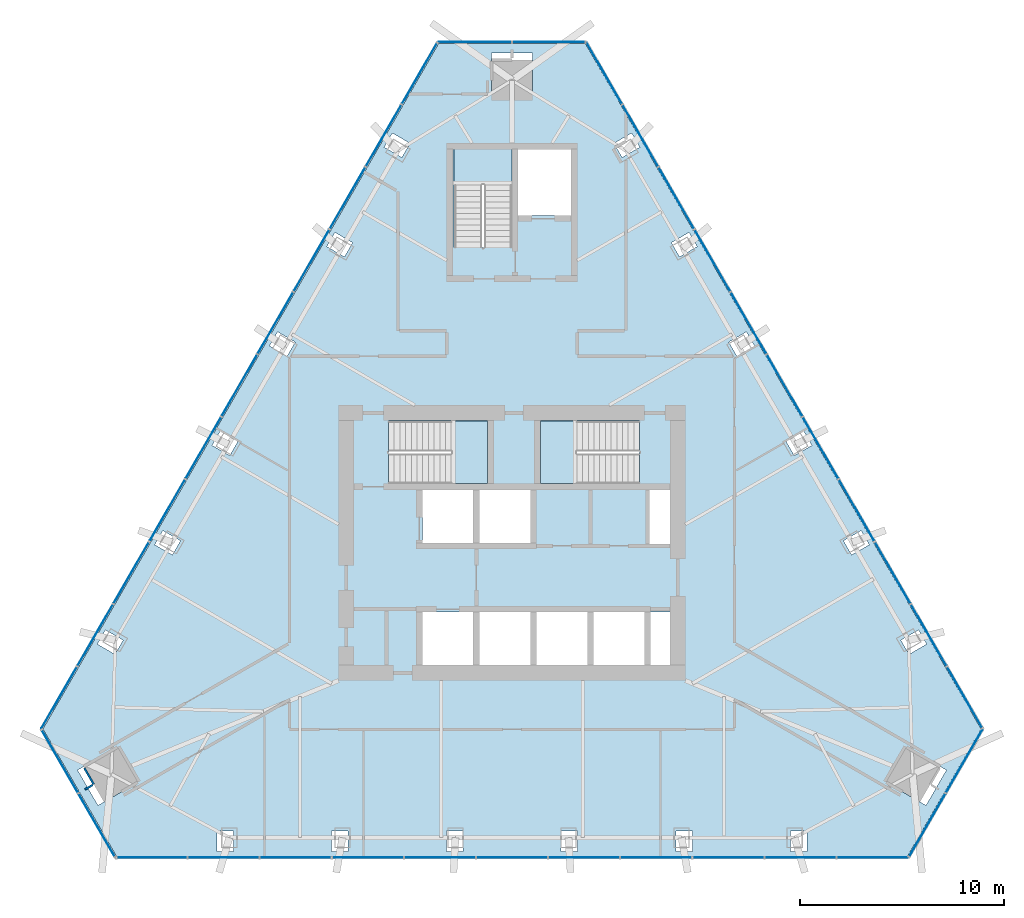
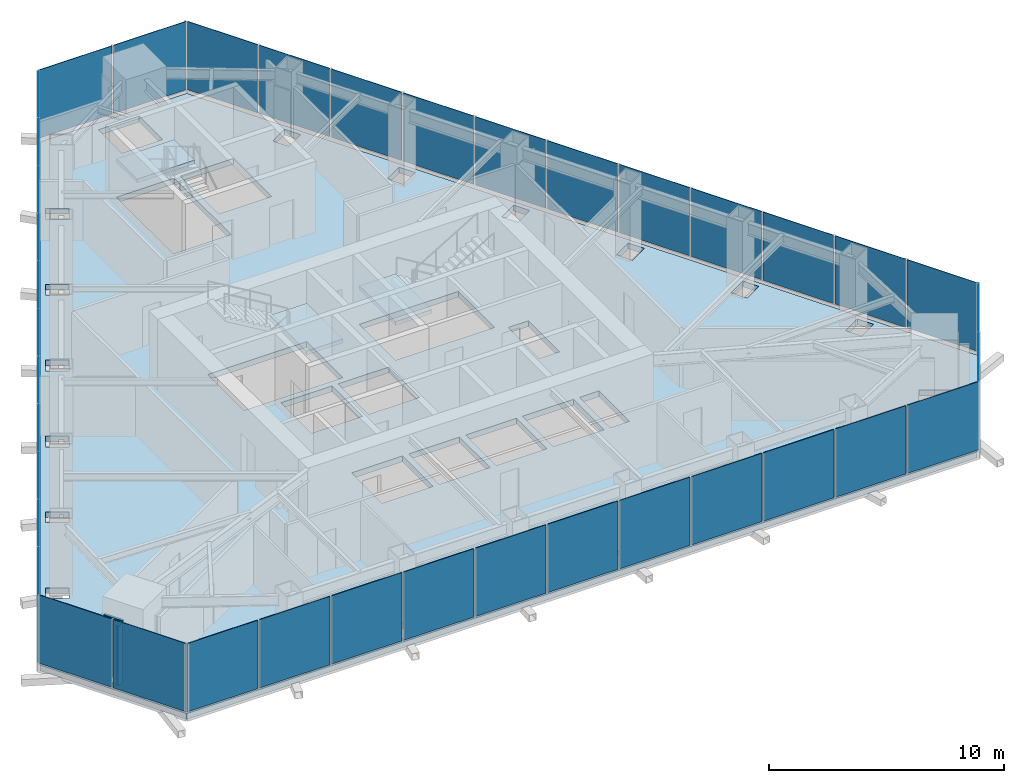
# One storey, part 10 of 14: 39 plates, 4 slabs, 2 walls, 9 elements without a shape of their own.
"""IFC4 building model written with IfcOpenShell, lengths in metres."""

from ifc_helpers import new_model, si_unit, direction, frame, frame_2d, origin, place, context, subcontext, project, spatial, polyline, rectangle, outline, extrude, material, layer, layer_set, type_object, element, aggregate, save


model = new_model("IFC4")

# Units and contexts
model_context = context("Model", 3, precision=1e-05, world=origin(), true_north=direction((0.0, 1.0)))
body_context = subcontext(model_context, "Body", "Model", "MODEL_VIEW")
ifc_project = project(units=[si_unit("LENGTHUNIT", "METRE"), si_unit("AREAUNIT", "SQUARE_METRE"), si_unit("VOLUMEUNIT", "CUBIC_METRE"), si_unit("PLANEANGLEUNIT", "RADIAN"), si_unit("MASSUNIT", "GRAM", prefix="KILO")], contexts=[model_context])

# Site, building, storey
site_placement = place(None, origin())
site = spatial("IfcSite", under=ifc_project, at=site_placement, CompositionType="ELEMENT")
building_placement = place(site_placement, origin())
building = spatial("IfcBuilding", under=site, at=building_placement, Name="Firuza Gate Tower and Library", CompositionType="ELEMENT")
storey_placement = place(building_placement, frame((0.0, 0.0, 331.60009765625)))
storey = spatial("IfcBuildingStorey", under=building, at=storey_placement, Name="L81", CompositionType="ELEMENT", Elevation=331.60009765625)

# Curtain wall, plates
ifc_material_1 = material(Name="Aluminium 6063-T6", Category="aluminium")
ifc_layer_1 = layer(ifc_material_1, 0.14990234375)
ifc_layer_set_1 = layer_set([ifc_layer_1], Name="Ceramic screen wall, crown plant")
curtain_wall_type = type_object("IfcCurtainWallType", Name="Ceramic screen wall, crown plant", PredefinedType="NOTDEFINED", material=ifc_layer_set_1)
placement_1 = place(storey_placement, origin())
curtain_wall_1 = element("IfcCurtainWall", 1, at=placement_1, inside=storey, type_object=curtain_wall_type, Name="CW6 L81 S", PredefinedType="NOTDEFINED")
ifc_material_2 = material(Name="Fritted glass", Category="glass")
ifc_layer_2 = layer(ifc_material_2, 0.06005859375)
ifc_layer_set_2 = layer_set([ifc_layer_2], Name="Ceramic screen unit, crown plant")
plate_type = type_object("IfcPlateType", Name="Ceramic screen unit, crown plant", PredefinedType="CURTAIN_PANEL", material=ifc_layer_set_2)
plate_1_placement = place(storey_placement, frame((55.5966796875, 59.552490234375, 0.14990234375), z_axis=(0.0, -1.0, 0.0), x_axis=(1.0, 0.0, 0.0)))
plate_1 = element("IfcPlate", 2, at=plate_1_placement, type_object=plate_type, Name="Glass unit", PredefinedType="CURTAIN_PANEL", context=body_context, shape_type="SweptSolid", body=[
    extrude(outline(polyline([(0.0, 0.0), (3.455078125, 0.0), (3.455078125, 3.550048828125), (0.0, 3.550048828125), (0.0, 0.0)])), origin(), (0.0, 0.0, -1.0), 0.030029296875),
])
plate_2_placement = place(storey_placement, frame((59.1318359375, 59.552490234375, 0.14990234375), z_axis=(0.0, -1.0, 0.0), x_axis=(1.0, 0.0, 0.0)))
plate_2 = element("IfcPlate", 3, at=plate_2_placement, type_object=plate_type, Name="Glass unit", PredefinedType="CURTAIN_PANEL", context=body_context, shape_type="SweptSolid", body=[
    extrude(outline(polyline([(0.0, 0.0), (3.455078125, 0.0), (3.455078125, 3.550048828125), (0.0, 3.550048828125), (0.0, 0.0)])), origin(), (0.0, 0.0, -1.0), 0.030029296875),
])
plate_3_placement = place(storey_placement, frame((62.6669921875, 59.552490234375, 0.14990234375), z_axis=(0.0, -1.0, 0.0), x_axis=(1.0, 0.0, 0.0)))
plate_3 = element("IfcPlate", 4, at=plate_3_placement, type_object=plate_type, Name="Glass unit", PredefinedType="CURTAIN_PANEL", context=body_context, shape_type="SweptSolid", body=[
    extrude(outline(polyline([(0.0, 0.0), (3.455078125, 0.0), (3.455078125, 3.550048828125), (0.0, 3.550048828125), (0.0, 0.0)])), origin(), (0.0, 0.0, -1.0), 0.030029296875),
])
plate_4_placement = place(storey_placement, frame((66.2021484375, 59.552490234375, 0.14990234375), z_axis=(0.0, -1.0, 0.0), x_axis=(1.0, 0.0, 0.0)))
plate_4 = element("IfcPlate", 5, at=plate_4_placement, type_object=plate_type, Name="Glass unit", PredefinedType="CURTAIN_PANEL", context=body_context, shape_type="SweptSolid", body=[
    extrude(outline(polyline([(0.0, 0.0), (3.455078125, 0.0), (3.455078125, 3.550048828125), (0.0, 3.550048828125), (0.0, 0.0)])), origin(), (0.0, 0.0, -1.0), 0.030029296875),
])
plate_5_placement = place(storey_placement, frame((69.7373046875, 59.552490234375, 0.14990234375), z_axis=(0.0, -1.0, 0.0), x_axis=(1.0, 0.0, 0.0)))
plate_5 = element("IfcPlate", 6, at=plate_5_placement, type_object=plate_type, Name="Glass unit", PredefinedType="CURTAIN_PANEL", context=body_context, shape_type="SweptSolid", body=[
    extrude(outline(polyline([(0.0, 0.0), (3.455078125, 0.0), (3.455078125, 3.550048828125), (0.0, 3.550048828125), (0.0, 0.0)])), origin(), (0.0, 0.0, -1.0), 0.030029296875),
])
plate_6_placement = place(storey_placement, frame((73.2724609375, 59.552490234375, 0.14990234375), z_axis=(0.0, -1.0, 0.0), x_axis=(1.0, 0.0, 0.0)))
plate_6 = element("IfcPlate", 7, at=plate_6_placement, type_object=plate_type, Name="Glass unit", PredefinedType="CURTAIN_PANEL", context=body_context, shape_type="SweptSolid", body=[
    extrude(outline(polyline([(0.0, 0.0), (3.455078125, 0.0), (3.455078125, 3.550048828125), (0.0, 3.550048828125), (0.0, 0.0)])), origin(), (0.0, 0.0, -1.0), 0.030029296875),
])
plate_7_placement = place(storey_placement, frame((76.8076171875, 59.552490234375, 0.14990234375), z_axis=(0.0, -1.0, 0.0), x_axis=(1.0, 0.0, 0.0)))
plate_7 = element("IfcPlate", 8, at=plate_7_placement, type_object=plate_type, Name="Glass unit", PredefinedType="CURTAIN_PANEL", context=body_context, shape_type="SweptSolid", body=[
    extrude(outline(polyline([(0.0, 0.0), (3.455078125, 0.0), (3.455078125, 3.550048828125), (0.0, 3.550048828125), (0.0, 0.0)])), origin(), (0.0, 0.0, -1.0), 0.030029296875),
])
plate_8_placement = place(storey_placement, frame((80.3427734375, 59.552490234375, 0.14990234375), z_axis=(0.0, -1.0, 0.0), x_axis=(1.0, 0.0, 0.0)))
plate_8 = element("IfcPlate", 9, at=plate_8_placement, type_object=plate_type, Name="Glass unit", PredefinedType="CURTAIN_PANEL", context=body_context, shape_type="SweptSolid", body=[
    extrude(outline(polyline([(0.0, 0.0), (3.455078125, 0.0), (3.455078125, 3.550048828125), (0.0, 3.550048828125), (0.0, 0.0)])), origin(), (0.0, 0.0, -1.0), 0.030029296875),
])
plate_9_placement = place(storey_placement, frame((83.8779296875, 59.552490234375, 0.14990234375), z_axis=(0.0, -1.0, 0.0), x_axis=(1.0, 0.0, 0.0)))
plate_9 = element("IfcPlate", 10, at=plate_9_placement, type_object=plate_type, Name="Glass unit", PredefinedType="CURTAIN_PANEL", context=body_context, shape_type="SweptSolid", body=[
    extrude(outline(polyline([(0.0, 0.0), (3.455078125, 0.0), (3.455078125, 3.550048828125), (0.0, 3.550048828125), (0.0, 0.0)])), origin(), (0.0, 0.0, -1.0), 0.030029296875),
])
plate_10_placement = place(storey_placement, frame((87.4130859375, 59.552490234375, 0.14990234375), z_axis=(0.0, -1.0, 0.0), x_axis=(1.0, 0.0, 0.0)))
plate_10 = element("IfcPlate", 11, at=plate_10_placement, type_object=plate_type, Name="Glass unit", PredefinedType="CURTAIN_PANEL", context=body_context, shape_type="SweptSolid", body=[
    extrude(outline(polyline([(0.0, 0.0), (3.455078125, 0.0), (3.455078125, 3.550048828125), (0.0, 3.550048828125), (0.0, 0.0)])), origin(), (0.0, 0.0, -1.0), 0.030029296875),
])
plate_11_placement = place(storey_placement, frame((90.9482421875, 59.552490234375, 0.14990234375), z_axis=(0.0, -1.0, 0.0), x_axis=(1.0, 0.0, 0.0)))
plate_11 = element("IfcPlate", 12, at=plate_11_placement, type_object=plate_type, Name="Glass unit", PredefinedType="CURTAIN_PANEL", context=body_context, shape_type="SweptSolid", body=[
    extrude(outline(polyline([(0.0, 0.0), (3.455078125, 0.0), (3.455078125, 3.550048828125), (0.0, 3.550048828125), (0.0, 0.0)])), origin(), (0.0, 0.0, -1.0), 0.030029296875),
])
aggregate(curtain_wall_1, [plate_1, plate_2, plate_3, plate_4, plate_5, plate_6, plate_7, plate_8, plate_9, plate_10, plate_11])

curtain_wall_2 = element("IfcCurtainWall", 13, at=placement_1, inside=storey, type_object=curtain_wall_type, Name="CW6 L81 SE", PredefinedType="NOTDEFINED")
plate_12_placement = place(storey_placement, frame((94.476318359375, 59.5947265625, 0.14990234375), z_axis=(0.865999591991, -0.500044704672, 0.0), x_axis=(0.500044704672, 0.865999591991, 0.0)))
plate_12 = element("IfcPlate", 14, at=plate_12_placement, type_object=plate_type, Name="Glass unit", PredefinedType="CURTAIN_PANEL", context=body_context, shape_type="SweptSolid", body=[
    extrude(outline(polyline([(0.0, 0.0), (3.563157982880169, 0.0), (3.563157982880169, 3.550048828125), (0.0, 3.550048828125), (0.0, 0.0)])), origin(), (0.0, 0.0, -1.0), 0.030029296875),
])
plate_13_placement = place(storey_placement, frame((96.2978515625, 62.749755859375, 0.14990234375), z_axis=(0.866016723041, -0.500015035186, 0.0), x_axis=(0.500015035186, 0.866016723041, 0.0)))
plate_13 = element("IfcPlate", 15, at=plate_13_placement, type_object=plate_type, Name="Glass unit", PredefinedType="CURTAIN_PANEL", context=body_context, shape_type="SweptSolid", body=[
    extrude(outline(polyline([(0.0, 0.0), (3.5633694106530625, 0.0), (3.5633694106530625, 3.550048828125), (0.0, 3.550048828125), (0.0, 0.0)])), origin(), (0.0, 0.0, -1.0), 0.030029296875),
])
aggregate(curtain_wall_2, [plate_12, plate_13])

curtain_wall_3 = element("IfcCurtainWall", 16, at=placement_1, inside=storey, type_object=curtain_wall_type, Name="CW6 L81 E", PredefinedType="NOTDEFINED")
plate_14_placement = place(storey_placement, frame((98.07958984375, 65.919921875, 0.14990234375), z_axis=(0.866043217385, 0.49996914467, 0.0), x_axis=(-0.49996914467, 0.866043217385, 0.0)))
plate_14 = element("IfcPlate", 17, at=plate_14_placement, type_object=plate_type, Name="Glass unit", PredefinedType="CURTAIN_PANEL", context=body_context, shape_type="SweptSolid", body=[
    extrude(outline(polyline([(0.0, 0.0), (3.4552913533126275, 0.0), (3.4552913533126275, 3.550048828125001), (0.0, 3.550048828125001), (0.0, 0.0)])), origin(), (0.0, 0.0, -1.0), 0.030029296875),
])
plate_15_placement = place(storey_placement, frame((96.31201171875, 68.9814453125, 0.14990234375), z_axis=(0.866043217385, 0.49996914467, 0.0), x_axis=(-0.49996914467, 0.866043217385, 0.0)))
plate_15 = element("IfcPlate", 18, at=plate_15_placement, type_object=plate_type, Name="Glass unit", PredefinedType="CURTAIN_PANEL", context=body_context, shape_type="SweptSolid", body=[
    extrude(outline(polyline([(0.0, 0.0), (3.4552913533126275, 0.0), (3.4552913533126275, 3.550048828125001), (0.0, 3.550048828125001), (0.0, 0.0)])), origin(), (0.0, 0.0, -1.0), 0.030029296875),
])
plate_16_placement = place(storey_placement, frame((94.54443359375, 72.04296875, 0.14990234375), z_axis=(0.866043217385, 0.49996914467, 0.0), x_axis=(-0.49996914467, 0.866043217385, 0.0)))
plate_16 = element("IfcPlate", 19, at=plate_16_placement, type_object=plate_type, Name="Glass unit", PredefinedType="CURTAIN_PANEL", context=body_context, shape_type="SweptSolid", body=[
    extrude(outline(polyline([(0.0, 0.0), (3.4552913533126275, 0.0), (3.4552913533126275, 3.550048828125001), (0.0, 3.550048828125001), (0.0, 0.0)])), origin(), (0.0, 0.0, -1.0), 0.030029296875),
])
plate_17_placement = place(storey_placement, frame((92.77685546875, 75.1044921875, 0.14990234375), z_axis=(0.866043217385, 0.49996914467, 0.0), x_axis=(-0.49996914467, 0.866043217385, 0.0)))
plate_17 = element("IfcPlate", 20, at=plate_17_placement, type_object=plate_type, Name="Glass unit", PredefinedType="CURTAIN_PANEL", context=body_context, shape_type="SweptSolid", body=[
    extrude(outline(polyline([(0.0, 0.0), (3.4552913533126275, 0.0), (3.4552913533126275, 3.550048828125001), (0.0, 3.550048828125001), (0.0, 0.0)])), origin(), (0.0, 0.0, -1.0), 0.030029296875),
])
plate_18_placement = place(storey_placement, frame((91.00927734375, 78.166015625, 0.14990234375), z_axis=(0.866043217385, 0.49996914467, 0.0), x_axis=(-0.49996914467, 0.866043217385, 0.0)))
plate_18 = element("IfcPlate", 21, at=plate_18_placement, type_object=plate_type, Name="Glass unit", PredefinedType="CURTAIN_PANEL", context=body_context, shape_type="SweptSolid", body=[
    extrude(outline(polyline([(0.0, 0.0), (3.4552913533126275, 0.0), (3.4552913533126275, 3.550048828125001), (0.0, 3.550048828125001), (0.0, 0.0)])), origin(), (0.0, 0.0, -1.0), 0.030029296875),
])
plate_19_placement = place(storey_placement, frame((89.24169921875, 81.2275390625, 0.14990234375), z_axis=(0.866043217385, 0.49996914467, 0.0), x_axis=(-0.49996914467, 0.866043217385, 0.0)))
plate_19 = element("IfcPlate", 22, at=plate_19_placement, type_object=plate_type, Name="Glass unit", PredefinedType="CURTAIN_PANEL", context=body_context, shape_type="SweptSolid", body=[
    extrude(outline(polyline([(0.0, 0.0), (3.4552913533126275, 0.0), (3.4552913533126275, 3.550048828125001), (0.0, 3.550048828125001), (0.0, 0.0)])), origin(), (0.0, 0.0, -1.0), 0.030029296875),
])
plate_20_placement = place(storey_placement, frame((87.47412109375, 84.2890625, 0.14990234375), z_axis=(0.866043217385, 0.49996914467, 0.0), x_axis=(-0.49996914467, 0.866043217385, 0.0)))
plate_20 = element("IfcPlate", 23, at=plate_20_placement, type_object=plate_type, Name="Glass unit", PredefinedType="CURTAIN_PANEL", context=body_context, shape_type="SweptSolid", body=[
    extrude(outline(polyline([(0.0, 0.0), (3.4552913533126275, 0.0), (3.4552913533126275, 3.550048828125001), (0.0, 3.550048828125001), (0.0, 0.0)])), origin(), (0.0, 0.0, -1.0), 0.030029296875),
])
plate_21_placement = place(storey_placement, frame((85.70654296875, 87.3505859375, 0.14990234375), z_axis=(0.866043217385, 0.49996914467, 0.0), x_axis=(-0.49996914467, 0.866043217385, 0.0)))
plate_21 = element("IfcPlate", 24, at=plate_21_placement, type_object=plate_type, Name="Glass unit", PredefinedType="CURTAIN_PANEL", context=body_context, shape_type="SweptSolid", body=[
    extrude(outline(polyline([(0.0, 0.0), (3.4552913533126275, 0.0), (3.4552913533126275, 3.550048828125001), (0.0, 3.550048828125001), (0.0, 0.0)])), origin(), (0.0, 0.0, -1.0), 0.030029296875),
])
plate_22_placement = place(storey_placement, frame((83.93896484375, 90.412109375, 0.14990234375), z_axis=(0.866043217385, 0.49996914467, 0.0), x_axis=(-0.49996914467, 0.866043217385, 0.0)))
plate_22 = element("IfcPlate", 25, at=plate_22_placement, type_object=plate_type, Name="Glass unit", PredefinedType="CURTAIN_PANEL", context=body_context, shape_type="SweptSolid", body=[
    extrude(outline(polyline([(0.0, 0.0), (3.4552913533126275, 0.0), (3.4552913533126275, 3.550048828125001), (0.0, 3.550048828125001), (0.0, 0.0)])), origin(), (0.0, 0.0, -1.0), 0.030029296875),
])
plate_23_placement = place(storey_placement, frame((82.17138671875, 93.4736328125, 0.14990234375), z_axis=(0.866043217385, 0.49996914467, 0.0), x_axis=(-0.49996914467, 0.866043217385, 0.0)))
plate_23 = element("IfcPlate", 26, at=plate_23_placement, type_object=plate_type, Name="Glass unit", PredefinedType="CURTAIN_PANEL", context=body_context, shape_type="SweptSolid", body=[
    extrude(outline(polyline([(0.0, 0.0), (3.4552913533126275, 0.0), (3.4552913533126275, 3.550048828125001), (0.0, 3.550048828125001), (0.0, 0.0)])), origin(), (0.0, 0.0, -1.0), 0.030029296875),
])
plate_24_placement = place(storey_placement, frame((80.40380859375, 96.53515625, 0.14990234375), z_axis=(0.866043217385, 0.49996914467, 0.0), x_axis=(-0.49996914467, 0.866043217385, 0.0)))
plate_24 = element("IfcPlate", 27, at=plate_24_placement, type_object=plate_type, Name="Glass unit", PredefinedType="CURTAIN_PANEL", context=body_context, shape_type="SweptSolid", body=[
    extrude(outline(polyline([(0.0, 0.0), (3.4552913533126275, 0.0), (3.4552913533126275, 3.550048828125001), (0.0, 3.550048828125001), (0.0, 0.0)])), origin(), (0.0, 0.0, -1.0), 0.030029296875),
])
aggregate(curtain_wall_3, [plate_14, plate_15, plate_16, plate_17, plate_18, plate_19, plate_20, plate_21, plate_22, plate_23, plate_24])

curtain_wall_4 = element("IfcCurtainWall", 28, at=placement_1, inside=storey, type_object=curtain_wall_type, Name="CW6 L81 N", PredefinedType="NOTDEFINED")
plate_25_placement = place(storey_placement, frame((78.603271484375, 99.569580078125, 0.14990234375), z_axis=(0.0, 1.0, 0.0), x_axis=(-1.0, 0.0, 0.0)))
plate_25 = element("IfcPlate", 29, at=plate_25_placement, type_object=plate_type, Name="Glass unit", PredefinedType="CURTAIN_PANEL", context=body_context, shape_type="SweptSolid", body=[
    extrude(outline(polyline([(0.0, 0.0), (3.563232421875, 0.0), (3.563232421875, 3.550048828125), (0.0, 3.550048828125), (0.0, 0.0)])), origin(), (0.0, 0.0, -1.0), 0.030029296875),
])
plate_26_placement = place(storey_placement, frame((74.9599609375, 99.569580078125, 0.14990234375), z_axis=(0.0, 1.0, 0.0), x_axis=(-1.0, 0.0, 0.0)))
plate_26 = element("IfcPlate", 30, at=plate_26_placement, type_object=plate_type, Name="Glass unit", PredefinedType="CURTAIN_PANEL", context=body_context, shape_type="SweptSolid", body=[
    extrude(outline(polyline([(0.0, 0.0), (3.563232421875, 0.0), (3.563232421875, 3.550048828125), (0.0, 3.550048828125), (0.0, 0.0)])), origin(), (0.0, 0.0, -1.0), 0.030029296875),
])
aggregate(curtain_wall_4, [plate_25, plate_26])

curtain_wall_5 = element("IfcCurtainWall", 31, at=placement_1, inside=storey, type_object=curtain_wall_type, Name="CW6 L81 W", PredefinedType="NOTDEFINED")
plate_27_placement = place(storey_placement, frame((71.32373046875, 99.527587890625, 0.14990234375), z_axis=(-0.866043217385, 0.49996914467, 0.0), x_axis=(-0.49996914467, -0.866043217385, 0.0)))
plate_27 = element("IfcPlate", 32, at=plate_27_placement, type_object=plate_type, Name="Glass unit", PredefinedType="CURTAIN_PANEL", context=body_context, shape_type="SweptSolid", body=[
    extrude(outline(polyline([(0.0, 0.0), (3.4552913533126275, 0.0), (3.4552913533126275, 3.550048828125001), (0.0, 3.550048828125001), (0.0, 0.0)])), origin(), (0.0, 0.0, -1.0), 0.030029296875),
])
plate_28_placement = place(storey_placement, frame((69.55615234375, 96.466064453125, 0.14990234375), z_axis=(-0.866043217385, 0.49996914467, 0.0), x_axis=(-0.49996914467, -0.866043217385, 0.0)))
plate_28 = element("IfcPlate", 33, at=plate_28_placement, type_object=plate_type, Name="Glass unit", PredefinedType="CURTAIN_PANEL", context=body_context, shape_type="SweptSolid", body=[
    extrude(outline(polyline([(0.0, 0.0), (3.4552913533126275, 0.0), (3.4552913533126275, 3.550048828125001), (0.0, 3.550048828125001), (0.0, 0.0)])), origin(), (0.0, 0.0, -1.0), 0.030029296875),
])
plate_29_placement = place(storey_placement, frame((67.78857421875, 93.404541015625, 0.14990234375), z_axis=(-0.866043217385, 0.49996914467, 0.0), x_axis=(-0.49996914467, -0.866043217385, 0.0)))
plate_29 = element("IfcPlate", 34, at=plate_29_placement, type_object=plate_type, Name="Glass unit", PredefinedType="CURTAIN_PANEL", context=body_context, shape_type="SweptSolid", body=[
    extrude(outline(polyline([(0.0, 0.0), (3.4552913533126275, 0.0), (3.4552913533126275, 3.550048828125001), (0.0, 3.550048828125001), (0.0, 0.0)])), origin(), (0.0, 0.0, -1.0), 0.030029296875),
])
plate_30_placement = place(storey_placement, frame((66.02099609375, 90.343017578125, 0.14990234375), z_axis=(-0.866043217385, 0.49996914467, 0.0), x_axis=(-0.49996914467, -0.866043217385, 0.0)))
plate_30 = element("IfcPlate", 35, at=plate_30_placement, type_object=plate_type, Name="Glass unit", PredefinedType="CURTAIN_PANEL", context=body_context, shape_type="SweptSolid", body=[
    extrude(outline(polyline([(0.0, 0.0), (3.4552913533126275, 0.0), (3.4552913533126275, 3.550048828125001), (0.0, 3.550048828125001), (0.0, 0.0)])), origin(), (0.0, 0.0, -1.0), 0.030029296875),
])
plate_31_placement = place(storey_placement, frame((64.25341796875, 87.281494140625, 0.14990234375), z_axis=(-0.866043217385, 0.49996914467, 0.0), x_axis=(-0.49996914467, -0.866043217385, 0.0)))
plate_31 = element("IfcPlate", 36, at=plate_31_placement, type_object=plate_type, Name="Glass unit", PredefinedType="CURTAIN_PANEL", context=body_context, shape_type="SweptSolid", body=[
    extrude(outline(polyline([(0.0, 0.0), (3.4552913533126275, 0.0), (3.4552913533126275, 3.550048828125001), (0.0, 3.550048828125001), (0.0, 0.0)])), origin(), (0.0, 0.0, -1.0), 0.030029296875),
])
plate_32_placement = place(storey_placement, frame((62.48583984375, 84.219970703125, 0.14990234375), z_axis=(-0.866043217385, 0.49996914467, 0.0), x_axis=(-0.49996914467, -0.866043217385, 0.0)))
plate_32 = element("IfcPlate", 37, at=plate_32_placement, type_object=plate_type, Name="Glass unit", PredefinedType="CURTAIN_PANEL", context=body_context, shape_type="SweptSolid", body=[
    extrude(outline(polyline([(0.0, 0.0), (3.4552913533126275, 0.0), (3.4552913533126275, 3.550048828125001), (0.0, 3.550048828125001), (0.0, 0.0)])), origin(), (0.0, 0.0, -1.0), 0.030029296875),
])
plate_33_placement = place(storey_placement, frame((60.71826171875, 81.158447265625, 0.14990234375), z_axis=(-0.866043217385, 0.49996914467, 0.0), x_axis=(-0.49996914467, -0.866043217385, 0.0)))
plate_33 = element("IfcPlate", 38, at=plate_33_placement, type_object=plate_type, Name="Glass unit", PredefinedType="CURTAIN_PANEL", context=body_context, shape_type="SweptSolid", body=[
    extrude(outline(polyline([(0.0, 0.0), (3.4552913533126275, 0.0), (3.4552913533126275, 3.550048828125001), (0.0, 3.550048828125001), (0.0, 0.0)])), origin(), (0.0, 0.0, -1.0), 0.030029296875),
])
plate_34_placement = place(storey_placement, frame((58.95068359375, 78.096923828125, 0.14990234375), z_axis=(-0.866043217385, 0.49996914467, 0.0), x_axis=(-0.49996914467, -0.866043217385, 0.0)))
plate_34 = element("IfcPlate", 39, at=plate_34_placement, type_object=plate_type, Name="Glass unit", PredefinedType="CURTAIN_PANEL", context=body_context, shape_type="SweptSolid", body=[
    extrude(outline(polyline([(0.0, 0.0), (3.4552913533126275, 0.0), (3.4552913533126275, 3.550048828125001), (0.0, 3.550048828125001), (0.0, 0.0)])), origin(), (0.0, 0.0, -1.0), 0.030029296875),
])
plate_35_placement = place(storey_placement, frame((57.18310546875, 75.035400390625, 0.14990234375), z_axis=(-0.866043217385, 0.49996914467, 0.0), x_axis=(-0.49996914467, -0.866043217385, 0.0)))
plate_35 = element("IfcPlate", 40, at=plate_35_placement, type_object=plate_type, Name="Glass unit", PredefinedType="CURTAIN_PANEL", context=body_context, shape_type="SweptSolid", body=[
    extrude(outline(polyline([(0.0, 0.0), (3.4552913533126275, 0.0), (3.4552913533126275, 3.550048828125001), (0.0, 3.550048828125001), (0.0, 0.0)])), origin(), (0.0, 0.0, -1.0), 0.030029296875),
])
plate_36_placement = place(storey_placement, frame((55.41552734375, 71.973876953125, 0.14990234375), z_axis=(-0.866043217385, 0.49996914467, 0.0), x_axis=(-0.49996914467, -0.866043217385, 0.0)))
plate_36 = element("IfcPlate", 41, at=plate_36_placement, type_object=plate_type, Name="Glass unit", PredefinedType="CURTAIN_PANEL", context=body_context, shape_type="SweptSolid", body=[
    extrude(outline(polyline([(0.0, 0.0), (3.4552913533126275, 0.0), (3.4552913533126275, 3.550048828125001), (0.0, 3.550048828125001), (0.0, 0.0)])), origin(), (0.0, 0.0, -1.0), 0.030029296875),
])
plate_37_placement = place(storey_placement, frame((53.64794921875, 68.912353515625, 0.14990234375), z_axis=(-0.866043217385, 0.49996914467, 0.0), x_axis=(-0.49996914467, -0.866043217385, 0.0)))
plate_37 = element("IfcPlate", 42, at=plate_37_placement, type_object=plate_type, Name="Glass unit", PredefinedType="CURTAIN_PANEL", context=body_context, shape_type="SweptSolid", body=[
    extrude(outline(polyline([(0.0, 0.0), (3.4552913533126275, 0.0), (3.4552913533126275, 3.550048828125001), (0.0, 3.550048828125001), (0.0, 0.0)])), origin(), (0.0, 0.0, -1.0), 0.030029296875),
])
aggregate(curtain_wall_5, [plate_27, plate_28, plate_29, plate_30, plate_31, plate_32, plate_33, plate_34, plate_35, plate_36, plate_37])

curtain_wall_6 = element("IfcCurtainWall", 43, at=placement_1, inside=storey, type_object=curtain_wall_type, Name="CW6 L81 SW", PredefinedType="NOTDEFINED")
plate_38_placement = place(storey_placement, frame((51.92041015625, 65.835693359375, 0.14990234375), z_axis=(-0.866016723041, -0.500015035186, 0.0), x_axis=(0.500015035186, -0.866016723041, 0.0)))
plate_38 = element("IfcPlate", 44, at=plate_38_placement, type_object=plate_type, Name="Glass unit", PredefinedType="CURTAIN_PANEL", context=body_context, shape_type="SweptSolid", body=[
    extrude(outline(polyline([(0.0, 0.0), (3.5633694106530625, 0.0), (3.5633694106530625, 3.550048828125), (0.0, 3.550048828125), (0.0, 0.0)])), origin(), (0.0, 0.0, -1.0), 0.030029296875),
])
plate_39_placement = place(storey_placement, frame((53.741943359375, 62.680419921875, 0.14990234375), z_axis=(-0.865999591991, -0.500044704672, 0.0), x_axis=(0.500044704672, -0.865999591991, 0.0)))
plate_39 = element("IfcPlate", 45, at=plate_39_placement, type_object=plate_type, Name="Glass unit", PredefinedType="CURTAIN_PANEL", context=body_context, shape_type="SweptSolid", body=[
    extrude(outline(polyline([(0.0, 0.0), (3.563157982880169, 0.0), (3.563157982880169, 3.550048828125), (0.0, 3.550048828125), (0.0, 0.0)])), origin(), (0.0, 0.0, -1.0), 0.030029296875),
])
aggregate(curtain_wall_6, [plate_38, plate_39])

# Slab
ifc_material_3 = material(Name="Concrete C40/50", Category="concrete")
ifc_layer_3 = layer(ifc_material_3, 0.300048828125)
ifc_layer_set_3 = layer_set([ifc_layer_3], Name="Composite floor slab 300 C40/50")
slab_type_1 = type_object("IfcSlabType", Name="Composite floor slab 300 C40/50", PredefinedType="FLOOR", material=ifc_layer_set_3)
slab_1_placement = place(storey_placement, frame((0.0, 0.0, -0.300048828125)))
element("IfcSlab", 46, at=slab_1_placement, inside=storey, type_object=slab_type_1, Name="Floor slab L81", PredefinedType="FLOOR", context=body_context, shape_type="SweptSolid", body=[
    extrude(outline(polyline([(52.0, 65.8779296875), (55.60009765625, 59.642578125), (94.39990234375, 59.642578125), (98.0, 65.8779296875), (78.60009765625, 99.479736328125), (71.39990234375, 99.479736328125), (52.0, 65.8779296875)]), holes=[polyline([(60.533447265625, 59.873046875), (60.533447265625, 60.873046875), (61.333251953125, 60.873046875), (61.333251953125, 59.873046875), (60.533447265625, 59.873046875)]), polyline([(66.159912109375, 59.873046875), (66.159912109375, 60.873046875), (66.9599609375, 60.873046875), (66.9599609375, 59.873046875), (66.159912109375, 59.873046875)]), polyline([(71.78662109375, 59.873046875), (71.78662109375, 60.873046875), (72.586669921875, 60.873046875), (72.586669921875, 59.873046875), (71.78662109375, 59.873046875)]), polyline([(53.699462890625, 63.85693359375), (55.431640625, 64.85693359375), (56.431640625, 63.124755859375), (54.699462890625, 62.124755859375), (53.699462890625, 63.85693359375)]), polyline([(55.06640625, 70.727783203125), (55.932373046875, 70.227783203125), (55.532470703125, 69.534912109375), (54.66650390625, 70.034912109375), (55.06640625, 70.727783203125)]), polyline([(73.10009765625, 69.0), (70.60009765625, 69.0), (70.60009765625, 71.60009765625), (73.10009765625, 71.60009765625), (73.10009765625, 69.0)]), polyline([(75.89990234375, 69.0), (73.39990234375, 69.0), (73.39990234375, 71.60009765625), (75.89990234375, 71.60009765625), (75.89990234375, 69.0)]), polyline([(57.879638671875, 75.6005859375), (58.745849609375, 75.1005859375), (58.345703125, 74.40771484375), (57.479736328125, 74.90771484375), (57.879638671875, 75.6005859375)]), polyline([(73.10009765625, 75.0), (70.60009765625, 75.0), (70.60009765625, 77.60009765625), (73.10009765625, 77.60009765625), (73.10009765625, 75.0)]), polyline([(75.89990234375, 75.0), (73.39990234375, 75.0), (73.39990234375, 77.60009765625), (75.89990234375, 77.60009765625), (75.89990234375, 75.0)]), polyline([(68.9404296875, 77.89990234375), (68.9404296875, 80.97998046875), (73.81005859375, 80.97998046875), (73.81005859375, 77.89990234375), (68.9404296875, 77.89990234375)]), polyline([(60.693115234375, 80.473388671875), (61.55908203125, 79.973388671875), (61.1591796875, 79.280517578125), (60.29296875, 79.780517578125), (60.693115234375, 80.473388671875)]), polyline([(63.50634765625, 85.34619140625), (64.372314453125, 84.84619140625), (63.972412109375, 84.153564453125), (63.1064453125, 84.653564453125), (63.50634765625, 85.34619140625)]), polyline([(66.31982421875, 90.218994140625), (67.185791015625, 89.718994140625), (66.785888671875, 89.0263671875), (65.919677734375, 89.5263671875), (66.31982421875, 90.218994140625)]), polyline([(72.159912109375, 89.470458984375), (72.159912109375, 94.300048828125), (75.0, 94.300048828125), (75.0, 89.470458984375), (72.159912109375, 89.470458984375)]), polyline([(69.133056640625, 95.092041015625), (69.9990234375, 94.592041015625), (69.59912109375, 93.899169921875), (68.733154296875, 94.399169921875), (69.133056640625, 95.092041015625)]), polyline([(76.0, 99.018310546875), (76.0, 97.018310546875), (74.0, 97.018310546875), (74.0, 99.018310546875), (76.0, 99.018310546875)]), polyline([(77.413330078125, 59.873046875), (77.413330078125, 60.873046875), (78.21337890625, 60.873046875), (78.21337890625, 59.873046875), (77.413330078125, 59.873046875)]), polyline([(83.0400390625, 59.873046875), (83.0400390625, 60.873046875), (83.840087890625, 60.873046875), (83.840087890625, 59.873046875), (83.0400390625, 59.873046875)]), polyline([(88.666748046875, 59.873046875), (88.666748046875, 60.873046875), (89.466552734375, 60.873046875), (89.466552734375, 59.873046875), (88.666748046875, 59.873046875)]), polyline([(95.300537109375, 62.124755859375), (93.568359375, 63.124755859375), (94.568359375, 64.85693359375), (96.300537109375, 63.85693359375), (95.300537109375, 62.124755859375)]), polyline([(95.33349609375, 70.034912109375), (94.467529296875, 69.534912109375), (94.067626953125, 70.227783203125), (94.93359375, 70.727783203125), (95.33349609375, 70.034912109375)]), polyline([(78.699951171875, 69.0), (76.199951171875, 69.0), (76.199951171875, 71.60009765625), (78.699951171875, 71.60009765625), (78.699951171875, 69.0)]), polyline([(81.5, 69.0), (79.0, 69.0), (79.0, 71.60009765625), (81.5, 71.60009765625), (81.5, 69.0)]), polyline([(82.75, 69.0), (81.800048828125, 69.0), (81.800048828125, 71.60009765625), (82.75, 71.60009765625), (82.75, 69.0)]), polyline([(92.520263671875, 74.90771484375), (91.654296875, 74.40771484375), (91.254150390625, 75.1005859375), (92.120361328125, 75.6005859375), (92.520263671875, 74.90771484375)]), polyline([(82.75, 74.949951171875), (81.75, 74.949951171875), (81.75, 77.60009765625), (82.75, 77.60009765625), (82.75, 74.949951171875)]), polyline([(81.259521484375, 80.97998046875), (81.259521484375, 77.89990234375), (76.389892578125, 77.89990234375), (76.389892578125, 80.97998046875), (81.259521484375, 80.97998046875)]), polyline([(89.70703125, 79.780517578125), (88.8408203125, 79.280517578125), (88.44091796875, 79.973388671875), (89.306884765625, 80.473388671875), (89.70703125, 79.780517578125)]), polyline([(86.8935546875, 84.653564453125), (86.027587890625, 84.153564453125), (85.627685546875, 84.84619140625), (86.49365234375, 85.34619140625), (86.8935546875, 84.653564453125)]), polyline([(84.080322265625, 89.5263671875), (83.214111328125, 89.0263671875), (82.814208984375, 89.718994140625), (83.68017578125, 90.218994140625), (84.080322265625, 89.5263671875)]), polyline([(75.300048828125, 91.050048828125), (75.300048828125, 94.300048828125), (77.89990234375, 94.300048828125), (77.89990234375, 91.050048828125), (75.300048828125, 91.050048828125)]), polyline([(80.40087890625, 93.899169921875), (80.0009765625, 94.592041015625), (80.866943359375, 95.092041015625), (81.266845703125, 94.399169921875), (80.40087890625, 93.899169921875)])]), origin(), (0.0, 0.0, 1.0), 0.300048828125),
])

# Stair, slab
ifc_material_4 = material(Name="Concrete C35/45", Category="concrete")
stair_type_1 = type_object("IfcStairType", Name="Exit stair ST9", PredefinedType="HALF_TURN_STAIR", material=ifc_material_4)
stair_1 = element("IfcStair", 47, at=placement_1, inside=storey, type_object=stair_type_1, Name="L81 Stair ST1", PredefinedType="HALF_TURN_STAIR")
ifc_material_5 = material(Name="Concrete C35/45", Category="concrete")
ifc_layer_4 = layer(ifc_material_5, 0.199951171875)
ifc_layer_set_4 = layer_set([ifc_layer_4], Name="Stair landing 200")
slab_type_2 = type_object("IfcSlabType", Name="Stair landing 200", PredefinedType="LANDING", material=ifc_layer_set_4)
placement_2 = place(storey_placement, frame((0.0, 0.0, 1.7998046875)))
slab_2 = element("IfcSlab", 48, at=placement_2, type_object=slab_type_2, Name="ST1 landing 1", PredefinedType="LANDING", context=body_context, shape_type="SweptSolid", body=[
    extrude(outline(polyline([(72.02001953125, 77.89990234375), (73.81005859375, 77.89990234375), (73.81005859375, 80.97998046875), (72.02001953125, 80.97998046875), (72.02001953125, 77.89990234375)])), origin(), (0.0, 0.0, 1.0), 0.2001953125),
])
aggregate(stair_1, [slab_2])

stair_2 = element("IfcStair", 49, at=placement_1, inside=storey, type_object=stair_type_1, Name="L81 Stair ST2", PredefinedType="HALF_TURN_STAIR")
slab_3 = element("IfcSlab", 50, at=placement_2, type_object=slab_type_2, Name="ST2 landing 1", PredefinedType="LANDING", context=body_context, shape_type="SweptSolid", body=[
    extrude(outline(polyline([(78.179931640625, 80.97998046875), (76.389892578125, 80.97998046875), (76.389892578125, 77.89990234375), (78.179931640625, 77.89990234375), (78.179931640625, 80.97998046875)])), origin(), (0.0, 0.0, 1.0), 0.2001953125),
])
aggregate(stair_2, [slab_3])

ifc_material_6 = material(Name="Concrete C35/45", Category="concrete")
stair_type_2 = type_object("IfcStairType", Name="Exit stair ST18", PredefinedType="HALF_TURN_STAIR", material=ifc_material_6)
stair_3 = element("IfcStair", 51, at=placement_1, inside=storey, type_object=stair_type_2, Name="L81 Stair ST3", PredefinedType="HALF_TURN_STAIR")
slab_4 = element("IfcSlab", 52, at=placement_2, type_object=slab_type_2, Name="ST3 landing 1", PredefinedType="LANDING", context=body_context, shape_type="SweptSolid", body=[
    extrude(outline(polyline([(75.0, 92.550048828125), (75.0, 94.300048828125), (72.159912109375, 94.300048828125), (72.159912109375, 92.550048828125), (75.0, 92.550048828125)])), origin(), (0.0, 0.0, 1.0), 0.2001953125),
])
aggregate(stair_3, [slab_4])

# Walls
ifc_material_7 = material(Name="Gypsum board partition")
ifc_layer_5 = layer(ifc_material_7, 0.10009765625)
ifc_layer_set_5 = layer_set([ifc_layer_5], Name="Partition 100 gypsum board on steel studs")
wall_type = type_object("IfcWallType", Name="Partition 100 gypsum board on steel studs", PredefinedType="PARTITIONING", material=ifc_layer_set_5)
wall_1_placement = place(storey_placement, frame((54.059814453125, 62.91015625, 0.0), z_axis=(0.0, 0.0, 1.0), x_axis=(0.865945212559, 0.500138869561, 0.0)))
element("IfcWall", 53, at=wall_1_placement, inside=storey, type_object=wall_type, Name="f:L81:w011", PredefinedType="PARTITIONING", context=body_context, shape_type="SweptSolid", body=[
    extrude(rectangle(XDim=0.439697265625, YDim=0.10009765625, at=frame_2d((0.2197265625, 0.0))), origin(), (0.0, 0.0, 1.0), 3.099853515625),
])
wall_2_placement = place(storey_placement, frame((54.49267578125, 63.16015625, 0.0), z_axis=(0.0, 0.0, 1.0), x_axis=(-0.500172000317, 0.865926076579, 0.0)))
element("IfcWall", 54, at=wall_2_placement, inside=storey, type_object=wall_type, Name="f:L81:w035", PredefinedType="PARTITIONING", context=body_context, shape_type="SweptSolid", body=[
    extrude(rectangle(XDim=0.924560546875, YDim=0.10009765625, at=frame_2d((0.46240234375, 0.0))), origin(), (0.0, 0.0, 1.0), 3.099853515625),
])

save(model, "model.ifc")
